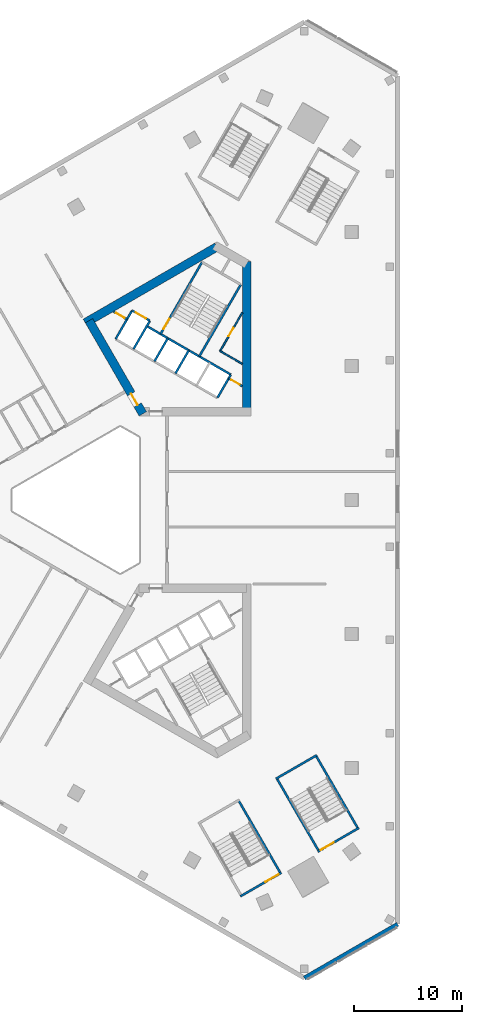
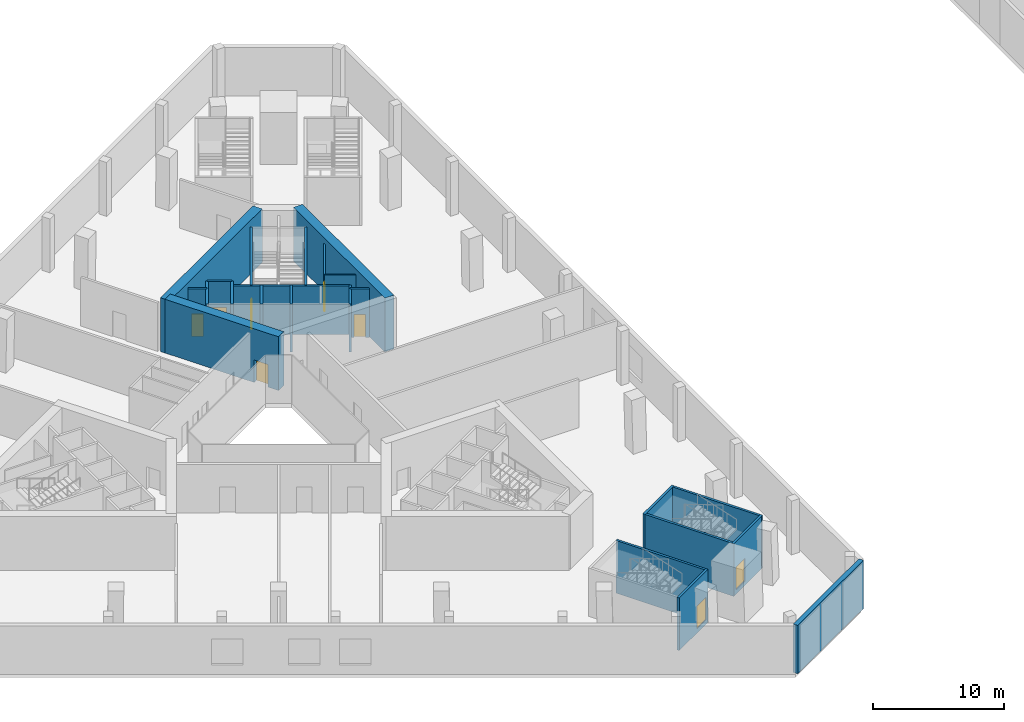
# One storey, part 13 of 36: 23 walls, 8 doors, 8 openings.
"""IFC4 building model written with IfcOpenShell, lengths in metres."""

from ifc_helpers import new_model, si_unit, direction, frame, frame_2d, origin, place, context, subcontext, project, spatial, rectangle, extrude, material, layer, layer_set, type_object, element, fill, save


model = new_model("IFC4")

# Units and contexts
model_context = context("Model", 3, precision=1e-05, world=origin(), true_north=direction((0.0, 1.0)))
body_context = subcontext(model_context, "Body", "Model", "MODEL_VIEW")
ifc_project = project(units=[si_unit("LENGTHUNIT", "METRE"), si_unit("AREAUNIT", "SQUARE_METRE"), si_unit("VOLUMEUNIT", "CUBIC_METRE"), si_unit("PLANEANGLEUNIT", "RADIAN"), si_unit("MASSUNIT", "GRAM", prefix="KILO")], contexts=[model_context])

# Site, building, storey
site_placement = place(None, origin())
site = spatial("IfcSite", under=ifc_project, at=site_placement, CompositionType="ELEMENT")
building_placement = place(site_placement, origin())
building = spatial("IfcBuilding", under=site, at=building_placement, Name="Jabali Bay Hotel Tower and Convention Centre", CompositionType="ELEMENT")
storey_placement = place(building_placement, frame((0.0, 0.0, 20.39990234375)))
storey = spatial("IfcBuildingStorey", under=building, at=storey_placement, Name="L03", CompositionType="ELEMENT", Elevation=20.39990234375)

# Wall, opening, door
ifc_material_1 = material(Name="Concrete C40", Category="concrete")
ifc_layer_1 = layer(ifc_material_1, 0.199951171875)
ifc_layer_set_1 = layer_set([ifc_layer_1], Name="Concrete C40")
wall_type_1 = type_object("IfcWallType", Name="Core partition wall 200", PredefinedType="PARTITIONING", material=ifc_layer_set_1)
wall_1_placement = place(storey_placement, frame((89.080078125, 90.553955078125, 0.0), z_axis=(0.0, 0.0, 1.0), x_axis=(-0.866022048785, 0.500005810984, 0.0)))
wall_1 = element("IfcWall", 1, at=wall_1_placement, inside=storey, type_object=wall_type_1, Name="Core wall 1.11 L03", PredefinedType="PARTITIONING", context=body_context, shape_type="SweptSolid", body=[
    extrude(rectangle(XDim=1.466796875, YDim=0.199951171875, at=frame_2d((0.7333984375, 0.0))), origin(), (0.0, 0.0, 1.0), 4.5),
])
opening_1_placement = place(wall_1_placement, frame((0.283447265625, 0.0, 0.0)))
opening_1 = element("IfcOpeningElement", 2, at=opening_1_placement, cuts=wall_1, Name="Opening D171", PredefinedType="OPENING", context=body_context, shape_type="SweptSolid", body=[
    extrude(rectangle(XDim=0.89990234375, YDim=2.10009765625, at=frame_2d((0.449951171875, 1.050048828125))), frame((0.0, 0.1103515625, 0.0), z_axis=(0.0, -1.0, 0.0), x_axis=(1.0, 0.0, 0.0)), (0.0, 0.0, 1.0), 0.220947265625),
])
ifc_material_2 = material(Name="Fire-rated steel door", Category="steel")
door_type_1 = type_object("IfcDoorType", Name="Vestibule fire door 900 x 2100", OperationType="NOTDEFINED", PredefinedType="NOTDEFINED", material=ifc_material_2)
door_1_placement = place(opening_1_placement, origin())
door_1 = element("IfcDoor", 3, at=door_1_placement, inside=storey, type_object=door_type_1, Name="Vestibule fire door D171", OperationType="SINGLE_SWING_LEFT", OverallHeight=2.10009765625, OverallWidth=0.89990234375, PredefinedType="NOTDEFINED", context=body_context, shape_type="SweptSolid", body=[
    extrude(rectangle(XDim=0.89990234375, YDim=2.10009765625, at=frame_2d((0.449951171875, 1.050048828125))), frame((0.0, 0.02490234375, 0.0), z_axis=(0.0, -1.0, 0.0), x_axis=(1.0, 0.0, 0.0)), (0.0, 0.0, 1.0), 0.050048828125),
])
fill(opening_1, door_1)

wall_2_placement = place(storey_placement, frame((78.380126953125, 96.754638671875, 0.0), z_axis=(0.0, 0.0, 1.0), x_axis=(-0.866003949776, 0.500037157592, 0.0)))
wall_2 = element("IfcWall", 4, at=wall_2_placement, inside=storey, type_object=wall_type_1, Name="Core wall 1.12 L03", PredefinedType="PARTITIONING", context=body_context, shape_type="SweptSolid", body=[
    extrude(rectangle(XDim=1.455078125, YDim=0.199951171875, at=frame_2d((0.7275390625, 0.0))), origin(), (0.0, 0.0, 1.0), 4.5),
])
opening_2_placement = place(wall_2_placement, frame((0.277587890625, 0.0, 0.0)))
opening_2 = element("IfcOpeningElement", 5, at=opening_2_placement, cuts=wall_2, Name="Opening D170", PredefinedType="OPENING", context=body_context, shape_type="SweptSolid", body=[
    extrude(rectangle(XDim=0.89990234375, YDim=2.10009765625, at=frame_2d((0.449951171875, 1.050048828125))), frame((0.0, 0.1103515625, 0.0), z_axis=(0.0, -1.0, 0.0), x_axis=(1.0, 0.0, 0.0)), (0.0, 0.0, 1.0), 0.220947265625),
])
door_2_placement = place(opening_2_placement, origin())
door_2 = element("IfcDoor", 6, at=door_2_placement, inside=storey, type_object=door_type_1, Name="Vestibule fire door D170", OperationType="SINGLE_SWING_LEFT", OverallHeight=2.10009765625, OverallWidth=0.89990234375, PredefinedType="NOTDEFINED", context=body_context, shape_type="SweptSolid", body=[
    extrude(rectangle(XDim=0.89990234375, YDim=2.10009765625, at=frame_2d((0.449951171875, 1.050048828125))), frame((0.0, 0.02490234375, 0.0), z_axis=(0.0, -1.0, 0.0), x_axis=(1.0, 0.0, 0.0)), (0.0, 0.0, 1.0), 0.050048828125),
])
fill(opening_2, door_2)

ifc_material_3 = material(Name="Fire-rated board partition")
ifc_layer_2 = layer(ifc_material_3, 0.14990234375)
ifc_layer_set_2 = layer_set([ifc_layer_2], Name="Fire-rated board partition")
wall_type_2 = type_object("IfcWallType", Name="Core room partition 150", PredefinedType="PARTITIONING", material=ifc_layer_set_2)
wall_3_placement = place(storey_placement, frame((87.02099609375, 93.821044921875, 0.0), z_axis=(0.0, 0.0, 1.0), x_axis=(0.500028662945, 0.866008854593, 0.0)))
wall_3 = element("IfcWall", 7, at=wall_3_placement, inside=storey, type_object=wall_type_2, Name="Core wall 1.1 L03", PredefinedType="PARTITIONING", context=body_context, shape_type="SweptSolid", body=[
    extrude(rectangle(XDim=4.117919921875, YDim=0.14990234375, at=frame_2d((2.05908203125, 0.0))), origin(), (0.0, 0.0, 1.0), 4.5),
])
opening_3_placement = place(wall_3_placement, frame((1.58154296875, 0.0, 0.0)))
opening_3 = element("IfcOpeningElement", 8, at=opening_3_placement, cuts=wall_3, Name="Opening D173", PredefinedType="OPENING", context=body_context, shape_type="SweptSolid", body=[
    extrude(rectangle(XDim=0.89990234375, YDim=2.10009765625, at=frame_2d((0.449951171875, 1.050048828125))), frame((0.0, 0.08544921875, 0.0), z_axis=(0.0, -1.0, 0.0), x_axis=(1.0, 0.0, 0.0)), (0.0, 0.0, 1.0), 0.1708984375),
])
door_type_2 = type_object("IfcDoorType", Name="Core room door 900 x 2100", OperationType="NOTDEFINED", PredefinedType="NOTDEFINED", material=ifc_material_2)
door_3_placement = place(opening_3_placement, origin())
door_3 = element("IfcDoor", 9, at=door_3_placement, inside=storey, type_object=door_type_2, Name="Core room door D173", OperationType="SINGLE_SWING_LEFT", OverallHeight=2.10009765625, OverallWidth=0.89990234375, PredefinedType="NOTDEFINED", context=body_context, shape_type="SweptSolid", body=[
    extrude(rectangle(XDim=0.89990234375, YDim=2.10009765625, at=frame_2d((0.449951171875, 1.050048828125))), frame((0.0, 0.02490234375, 0.0), z_axis=(0.0, -1.0, 0.0), x_axis=(1.0, 0.0, 0.0)), (0.0, 0.0, 1.0), 0.050048828125),
])
fill(opening_3, door_3)

# Walls
wall_4_placement = place(storey_placement, frame((89.080078125, 92.63232421875, 0.0), z_axis=(0.0, 0.0, 1.0), x_axis=(-0.866041951395, 0.499971337603, 0.0)))
element("IfcWall", 10, at=wall_4_placement, inside=storey, type_object=wall_type_2, Name="Core wall 1.15 L03", PredefinedType="PARTITIONING", context=body_context, shape_type="SweptSolid", body=[
    extrude(rectangle(XDim=2.377685546875, YDim=0.14990234375, at=frame_2d((1.18896484375, 0.0))), origin(), (0.0, 0.0, 1.0), 4.5),
])
ifc_layer_3 = layer(ifc_material_1, 0.199951171875)
ifc_layer_set_3 = layer_set([ifc_layer_3], Name="Concrete C40")
wall_type_3 = type_object("IfcWallType", Name="Core stair wall 200", PredefinedType="SOLIDWALL", material=ifc_layer_set_3)
wall_5_placement = place(storey_placement, frame((86.769775390625, 89.48583984375, 0.0), z_axis=(0.0, 0.0, 1.0), x_axis=(0.499961042966, 0.86604789447, 0.0)))
element("IfcWall", 11, at=wall_5_placement, inside=storey, type_object=wall_type_3, Name="Core wall 1.0 L03", PredefinedType="SOLIDWALL", context=body_context, shape_type="SweptSolid", body=[
    extrude(rectangle(XDim=2.480224609375, YDim=0.199951171875, at=frame_2d((1.240234375, 0.0))), origin(), (0.0, 0.0, 1.0), 4.5),
])
wall_6_placement = place(storey_placement, frame((85.0869140625, 93.3212890625, 0.0), z_axis=(0.0, 0.0, 1.0), x_axis=(0.500019787375, 0.866013979237, 0.0)))
element("IfcWall", 12, at=wall_6_placement, inside=storey, type_object=wall_type_3, Name="Core wall 1.3 L03", PredefinedType="SOLIDWALL", context=body_context, shape_type="SweptSolid", body=[
    extrude(rectangle(XDim=7.699951171875, YDim=0.199951171875, at=frame_2d((3.85009765625, 0.0))), origin(), (0.0, 0.0, 1.0), 4.5),
])
for number, where, z_axis, x_axis, name in (
    (13, (82.872802734375, 91.73583984375, 0.0), (0.0, 0.0, 1.0), (0.499961042966, 0.86604789447, 0.0), "Core wall 1.4 L03"),
    (14, (80.924072265625, 92.86083984375, 0.0), (0.0, 0.0, 1.0), (0.499961042966, 0.86604789447, 0.0), "Core wall 1.6 L03"),
):
    element("IfcWall", number, at=place(storey_placement, frame(where, z_axis=z_axis, x_axis=x_axis)), inside=storey, type_object=wall_type_3, Name=name, PredefinedType="SOLIDWALL", context=body_context, shape_type="SweptSolid", body=[
        extrude(rectangle(XDim=2.480224609375, YDim=0.199951171875, at=frame_2d((1.240234375, 0.0))), origin(), (0.0, 0.0, 1.0), 4.5),
    ])

# Wall, opening, door
wall_7_placement = place(storey_placement, frame((81.492919921875, 95.396240234375, 0.0), z_axis=(0.0, 0.0, 1.0), x_axis=(0.500006057782, 0.866021906294, 0.0)))
wall_7 = element("IfcWall", 15, at=wall_7_placement, inside=storey, type_object=wall_type_3, Name="Core wall 1.7 L03", PredefinedType="SOLIDWALL", context=body_context, shape_type="SweptSolid", body=[
    extrude(rectangle(XDim=7.7001953125, YDim=0.199951171875, at=frame_2d((3.85009765625, 0.0))), origin(), (0.0, 0.0, 1.0), 4.5),
])
opening_4_placement = place(wall_7_placement, frame((0.550048828125, 0.0, 0.0)))
opening_4 = element("IfcOpeningElement", 16, at=opening_4_placement, cuts=wall_7, Name="Opening D172", PredefinedType="OPENING", context=body_context, shape_type="SweptSolid", body=[
    extrude(rectangle(XDim=1.10009765625, YDim=2.10009765625, at=frame_2d((0.550048828125, 1.050048828125))), frame((0.0, 0.1103515625, 0.0), z_axis=(0.0, -1.0, 0.0), x_axis=(1.0, 0.0, 0.0)), (0.0, 0.0, 1.0), 0.220947265625),
])
door_type_3 = type_object("IfcDoorType", Name="Stair fire door 1100 x 2100", OperationType="NOTDEFINED", PredefinedType="NOTDEFINED", material=ifc_material_2)
door_4_placement = place(opening_4_placement, origin())
door_4 = element("IfcDoor", 17, at=door_4_placement, inside=storey, type_object=door_type_3, Name="Stair fire door D172", OperationType="SINGLE_SWING_RIGHT", OverallHeight=2.10009765625, OverallWidth=1.10009765625, PredefinedType="NOTDEFINED", context=body_context, shape_type="SweptSolid", body=[
    extrude(rectangle(XDim=1.10009765625, YDim=2.10009765625, at=frame_2d((0.550048828125, 1.050048828125))), frame((0.0, 0.02490234375, 0.0), z_axis=(0.0, -1.0, 0.0), x_axis=(1.0, 0.0, 0.0)), (0.0, 0.0, 1.0), 0.050048828125),
])
fill(opening_4, door_4)

# Walls
for number, where, z_axis, x_axis, name in (
    (18, (78.9755859375, 93.98583984375, 0.0), (0.0, 0.0, 1.0), (0.499944174705, 0.866057632134, 0.0), "Core wall 1.8 L03"),
    (19, (77.330078125, 94.93603515625, 0.0), (0.0, 0.0, 1.0), (0.500038867431, 0.8660029625, 0.0), "Core wall 1.9 L03"),
):
    element("IfcWall", number, at=place(storey_placement, frame(where, z_axis=z_axis, x_axis=x_axis)), inside=storey, type_object=wall_type_3, Name=name, PredefinedType="SOLIDWALL", context=body_context, shape_type="SweptSolid", body=[
        extrude(rectangle(XDim=3.050048828125, YDim=0.199951171875, at=frame_2d((1.52490234375, 0.0))), origin(), (0.0, 0.0, 1.0), 4.5),
    ])
wall_8_placement = place(storey_placement, frame((88.009765625, 91.6337890625, 0.0), z_axis=(0.0, 0.0, 1.0), x_axis=(-0.866024315419, 0.5000018851, 0.0)))
element("IfcWall", 20, at=wall_8_placement, inside=storey, type_object=wall_type_3, Name="Core wall 1.13 L03", PredefinedType="SOLIDWALL", context=body_context, shape_type="SweptSolid", body=[
    extrude(rectangle(XDim=9.0, YDim=0.199951171875, at=frame_2d((4.5, 0.0))), origin(), (0.0, 0.0, 1.0), 4.5),
])

# Wall, opening, door
wall_9_placement = place(storey_placement, frame((80.50048828125, 96.62744140625, 0.0), z_axis=(0.0, 0.0, 1.0), x_axis=(-0.86601224135, 0.500022797313, 0.0)))
wall_9 = element("IfcWall", 21, at=wall_9_placement, inside=storey, type_object=wall_type_3, Name="Core wall 1.14 L03", PredefinedType="SOLIDWALL", context=body_context, shape_type="SweptSolid", body=[
    extrude(rectangle(XDim=1.89990234375, YDim=0.199951171875, at=frame_2d((0.949951171875, 0.0))), origin(), (0.0, 0.0, 1.0), 4.5),
])
opening_5_placement = place(wall_9_placement, frame((0.39990234375, 0.0, 0.0)))
opening_5 = element("IfcOpeningElement", 22, at=opening_5_placement, cuts=wall_9, Name="Opening LD10-L03", PredefinedType="OPENING", context=body_context, shape_type="SweptSolid", body=[
    extrude(rectangle(XDim=1.10009765625, YDim=2.10009765625, at=frame_2d((0.550048828125, 1.050048828125))), frame((0.0, 0.1103515625, 0.0), z_axis=(0.0, -1.0, 0.0), x_axis=(1.0, 0.0, 0.0)), (0.0, 0.0, 1.0), 0.220947265625),
])
ifc_material_4 = material(Name="Stainless steel landing door", Category="steel")
door_type_4 = type_object("IfcDoorType", Name="Landing door 1100 x 2100", OperationType="NOTDEFINED", PredefinedType="NOTDEFINED", material=ifc_material_4)
door_5_placement = place(opening_5_placement, origin())
door_5 = element("IfcDoor", 23, at=door_5_placement, inside=storey, type_object=door_type_4, Name="Landing doors LD10-L03", OperationType="SLIDING_TO_RIGHT", OverallHeight=2.10009765625, OverallWidth=1.10009765625, PredefinedType="NOTDEFINED", context=body_context, shape_type="SweptSolid", body=[
    extrude(rectangle(XDim=1.10009765625, YDim=2.10009765625, at=frame_2d((0.550048828125, 1.050048828125))), frame((0.0, 0.02490234375, 0.0), z_axis=(0.0, -1.0, 0.0), x_axis=(1.0, 0.0, 0.0)), (0.0, 0.0, 1.0), 0.050048828125),
])
fill(opening_5, door_5)

# Walls
ifc_material_5 = material(Name="Concrete C60", Category="concrete")
ifc_layer_4 = layer(ifc_material_5, 0.800048828125)
ifc_layer_set_4 = layer_set([ifc_layer_4], Name="Concrete C60")
wall_type_4 = type_object("IfcWallType", Name="Core wall 800", PredefinedType="SHEAR", material=ifc_layer_set_4)
wall_10_placement = place(storey_placement, frame((89.47998046875, 88.1943359375, 0.0), z_axis=(0.0, 0.0, 1.0), x_axis=(0.0, 1.0, 0.0)))
element("IfcWall", 24, at=wall_10_placement, inside=storey, type_object=wall_type_4, Name="Core wall 2.2 L03", PredefinedType="SHEAR", context=body_context, shape_type="SweptSolid", body=[
    extrude(rectangle(XDim=13.933349609375, YDim=0.800048828125, at=frame_2d((6.966796875, 0.0))), origin(), (0.0, 0.0, 1.0), 5.0),
])
wall_11_placement = place(storey_placement, frame((86.72314453125, 103.48828125, 0.0), z_axis=(0.0, 0.0, 1.0), x_axis=(-0.866032504327, -0.499987701298, 0.0)))
element("IfcWall", 25, at=wall_11_placement, inside=storey, type_object=wall_type_4, Name="Core wall 2.4 L03", PredefinedType="SHEAR", context=body_context, shape_type="SweptSolid", body=[
    extrude(rectangle(XDim=14.102294921875, YDim=0.800048828125, at=frame_2d((7.05126953125, 0.0))), origin(), (0.0, 0.0, 1.0), 5.0),
])

# Wall, opening, door
wall_12_placement = place(storey_placement, frame((74.8564453125, 96.63720703125, 0.0), z_axis=(0.0, 0.0, 1.0), x_axis=(0.499993500917, -0.866029155999, 0.0)))
wall_12 = element("IfcWall", 26, at=wall_12_placement, inside=storey, type_object=wall_type_4, Name="Core wall 2.5 L03", PredefinedType="SHEAR", context=body_context, shape_type="SweptSolid", body=[
    extrude(rectangle(XDim=9.980224609375, YDim=0.800048828125, at=frame_2d((4.990234375, 0.0))), origin(), (0.0, 0.0, 1.0), 5.0),
])
opening_6_placement = place(wall_12_placement, frame((7.830078125, 0.0, 0.0)))
opening_6 = element("IfcOpeningElement", 27, at=opening_6_placement, cuts=wall_12, Name="Opening D169", PredefinedType="OPENING", context=body_context, shape_type="SweptSolid", body=[
    extrude(rectangle(XDim=1.199951171875, YDim=2.10009765625, at=frame_2d((0.60009765625, 1.050048828125))), frame((0.0, 0.41064453125, 0.0), z_axis=(0.0, -1.0, 0.0), x_axis=(1.0, 0.0, 0.0)), (0.0, 0.0, 1.0), 0.821044921875),
])
door_type_5 = type_object("IfcDoorType", Name="Corridor end fire door 1200 x 2100", OperationType="NOTDEFINED", PredefinedType="NOTDEFINED", material=ifc_material_2)
door_6_placement = place(opening_6_placement, origin())
door_6 = element("IfcDoor", 28, at=door_6_placement, inside=storey, type_object=door_type_5, Name="Corridor end fire door D169", OperationType="SINGLE_SWING_LEFT", OverallHeight=2.10009765625, OverallWidth=1.199951171875, PredefinedType="NOTDEFINED", context=body_context, shape_type="SweptSolid", body=[
    extrude(rectangle(XDim=1.199951171875, YDim=2.10009765625, at=frame_2d((0.60009765625, 1.050048828125))), frame((0.0, 0.02490234375, 0.0), z_axis=(0.0, -1.0, 0.0), x_axis=(1.0, 0.0, 0.0)), (0.0, 0.0, 1.0), 0.050048828125),
])
fill(opening_6, door_6)

# Wall
ifc_layer_5 = layer(ifc_material_1, 0.39990234375)
ifc_layer_set_5 = layer_set([ifc_layer_5], Name="Concrete C40")
wall_type_5 = type_object("IfcWallType", Name="Podium external wall 400", PredefinedType="SOLIDWALL", material=ifc_layer_set_5)
wall_13_placement = place(storey_placement, frame((103.5, 40.636474609375, 0.0), z_axis=(0.0, 0.0, 1.0), x_axis=(-0.866022959057, -0.500004234368, 0.0)))
element("IfcWall", 29, at=wall_13_placement, inside=storey, type_object=wall_type_5, Name="External wall south-east chamfer L03", PredefinedType="SOLIDWALL", context=body_context, shape_type="SweptSolid", body=[
    extrude(rectangle(XDim=10.0, YDim=0.39990234375, at=frame_2d((5.0, 0.0))), origin(), (0.0, 0.0, 1.0), 4.5),
])

# Wall, opening, door
ifc_layer_6 = layer(ifc_material_1, 0.199951171875)
ifc_layer_set_6 = layer_set([ifc_layer_6], Name="Concrete C40")
wall_type_6 = type_object("IfcWallType", Name="Podium stair enclosure wall 200", PredefinedType="SOLIDWALL", material=ifc_layer_set_6)
wall_14_placement = place(storey_placement, frame((96.0888671875, 47.373291015625, -0.39990234375), z_axis=(0.0, 0.0, 1.0), x_axis=(0.866018331238, 0.50001224981, 0.0)))
wall_14 = element("IfcWall", 30, at=wall_14_placement, inside=storey, type_object=wall_type_6, Name="Podium stair wall 5.1 L03", PredefinedType="SOLIDWALL", context=body_context, shape_type="SweptSolid", body=[
    extrude(rectangle(XDim=4.39990234375, YDim=0.199951171875, at=frame_2d((2.199951171875, 0.0))), origin(), (0.0, 0.0, 1.0), 4.89990234375),
])
opening_7_placement = place(wall_14_placement, frame((0.300048828125, 0.0, 0.39990234375)))
opening_7 = element("IfcOpeningElement", 31, at=opening_7_placement, cuts=wall_14, Name="Opening D1759", PredefinedType="OPENING", context=body_context, shape_type="SweptSolid", body=[
    extrude(rectangle(XDim=1.39990234375, YDim=2.10009765625, at=frame_2d((0.699951171875, 1.050048828125))), frame((0.0, 0.1103515625, 0.0), z_axis=(0.0, -1.0, 0.0), x_axis=(1.0, 0.0, 0.0)), (0.0, 0.0, 1.0), 0.220947265625),
])
door_type_6 = type_object("IfcDoorType", Name="Podium stair fire door 1400 x 2100", OperationType="NOTDEFINED", PredefinedType="NOTDEFINED", material=ifc_material_2)
door_7_placement = place(opening_7_placement, origin())
door_7 = element("IfcDoor", 32, at=door_7_placement, inside=storey, type_object=door_type_6, Name="Podium stair fire door D1759", OperationType="SINGLE_SWING_RIGHT", OverallHeight=2.10009765625, OverallWidth=1.39990234375, PredefinedType="NOTDEFINED", context=body_context, shape_type="SweptSolid", body=[
    extrude(rectangle(XDim=1.39990234375, YDim=2.10009765625, at=frame_2d((0.699951171875, 1.050048828125))), frame((0.0, 0.02490234375, 0.0), z_axis=(0.0, -1.0, 0.0), x_axis=(1.0, 0.0, 0.0)), (0.0, 0.0, 1.0), 0.050048828125),
])
fill(opening_7, door_7)

# Walls
wall_15_placement = place(storey_placement, frame((99.862548828125, 49.4365234375, -0.39990234375), z_axis=(0.0, 0.0, 1.0), x_axis=(-0.49999894854, 0.866026010844, 0.0)))
element("IfcWall", 33, at=wall_15_placement, inside=storey, type_object=wall_type_6, Name="Podium stair wall 5.2 L03", PredefinedType="SOLIDWALL", context=body_context, shape_type="SweptSolid", body=[
    extrude(rectangle(XDim=8.0, YDim=0.199951171875, at=frame_2d((4.0, 0.0))), origin(), (0.0, 0.0, 1.0), 4.89990234375),
])
wall_16_placement = place(storey_placement, frame((95.999267578125, 56.328125, -0.39990234375), z_axis=(0.0, 0.0, 1.0), x_axis=(-0.866032203192, -0.499988222896, 0.0)))
element("IfcWall", 34, at=wall_16_placement, inside=storey, type_object=wall_type_6, Name="Podium stair wall 5.3 L03", PredefinedType="SOLIDWALL", context=body_context, shape_type="SweptSolid", body=[
    extrude(rectangle(XDim=4.39990234375, YDim=0.199951171875, at=frame_2d((2.199951171875, 0.0))), origin(), (0.0, 0.0, 1.0), 4.89990234375),
])
wall_17_placement = place(storey_placement, frame((92.225341796875, 54.264892578125, -0.39990234375), z_axis=(0.0, 0.0, 1.0), x_axis=(0.49999894854, -0.866026010844, 0.0)))
element("IfcWall", 35, at=wall_17_placement, inside=storey, type_object=wall_type_6, Name="Podium stair wall 5.4 L03", PredefinedType="SOLIDWALL", context=body_context, shape_type="SweptSolid", body=[
    extrude(rectangle(XDim=8.0, YDim=0.199951171875, at=frame_2d((4.0, 0.0))), origin(), (0.0, 0.0, 1.0), 4.89990234375),
])

# Wall, opening, door
wall_18_placement = place(storey_placement, frame((88.900634765625, 43.22314453125, -0.39990234375), z_axis=(0.0, 0.0, 1.0), x_axis=(0.866032203192, 0.499988222896, 0.0)))
wall_18 = element("IfcWall", 36, at=wall_18_placement, inside=storey, type_object=wall_type_6, Name="Podium stair wall 6.1 L03", PredefinedType="SOLIDWALL", context=body_context, shape_type="SweptSolid", body=[
    extrude(rectangle(XDim=4.39990234375, YDim=0.199951171875, at=frame_2d((2.199951171875, 0.0))), origin(), (0.0, 0.0, 1.0), 4.89990234375),
])
opening_8_placement = place(wall_18_placement, frame((2.699951171875, 0.0, 0.39990234375)))
opening_8 = element("IfcOpeningElement", 37, at=opening_8_placement, cuts=wall_18, Name="Opening D1764", PredefinedType="OPENING", context=body_context, shape_type="SweptSolid", body=[
    extrude(rectangle(XDim=1.39990234375, YDim=2.10009765625, at=frame_2d((0.699951171875, 1.050048828125))), frame((0.0, 0.1103515625, 0.0), z_axis=(0.0, -1.0, 0.0), x_axis=(1.0, 0.0, 0.0)), (0.0, 0.0, 1.0), 0.220947265625),
])
door_8_placement = place(opening_8_placement, origin())
door_8 = element("IfcDoor", 38, at=door_8_placement, inside=storey, type_object=door_type_6, Name="Podium stair fire door D1764", OperationType="SINGLE_SWING_RIGHT", OverallHeight=2.10009765625, OverallWidth=1.39990234375, PredefinedType="NOTDEFINED", context=body_context, shape_type="SweptSolid", body=[
    extrude(rectangle(XDim=1.39990234375, YDim=2.10009765625, at=frame_2d((0.699951171875, 1.050048828125))), frame((0.0, 0.02490234375, 0.0), z_axis=(0.0, -1.0, 0.0), x_axis=(1.0, 0.0, 0.0)), (0.0, 0.0, 1.0), 0.050048828125),
])
fill(opening_8, door_8)

# Wall
wall_19_placement = place(storey_placement, frame((92.674560546875, 45.28662109375, -0.39990234375), z_axis=(0.0, 0.0, 1.0), x_axis=(-0.49999894854, 0.866026010844, 0.0)))
element("IfcWall", 39, at=wall_19_placement, inside=storey, type_object=wall_type_6, Name="Podium stair wall 6.2 L03", PredefinedType="SOLIDWALL", context=body_context, shape_type="SweptSolid", body=[
    extrude(rectangle(XDim=8.0, YDim=0.199951171875, at=frame_2d((4.0, 0.0))), origin(), (0.0, 0.0, 1.0), 4.89990234375),
])

save(model, "model.ifc")
